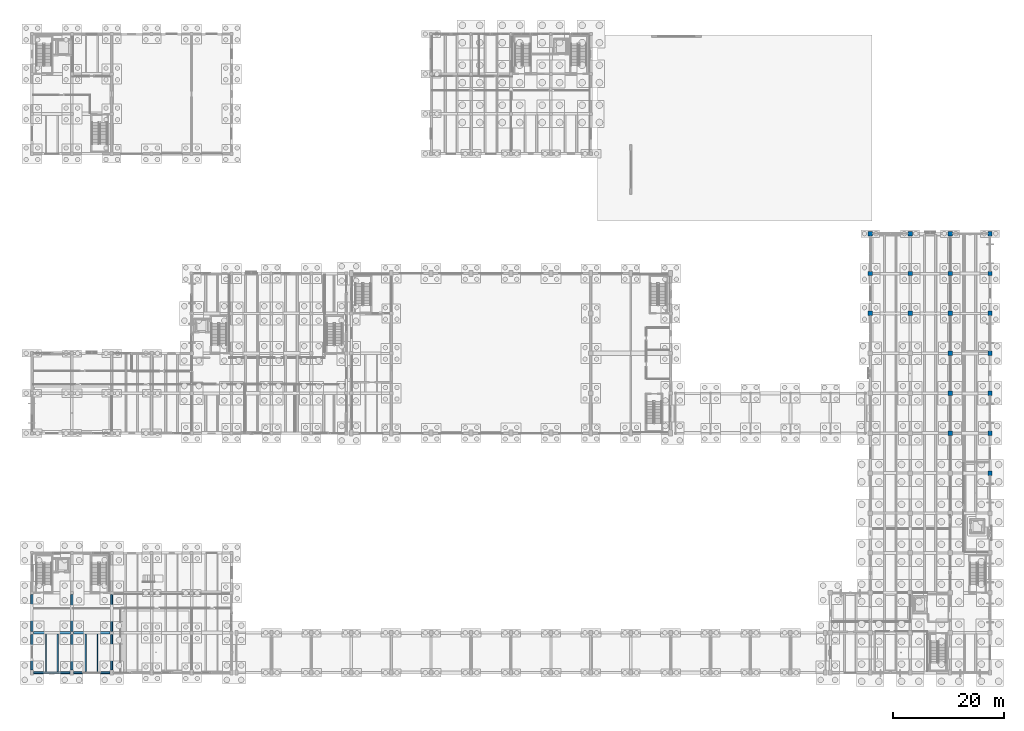
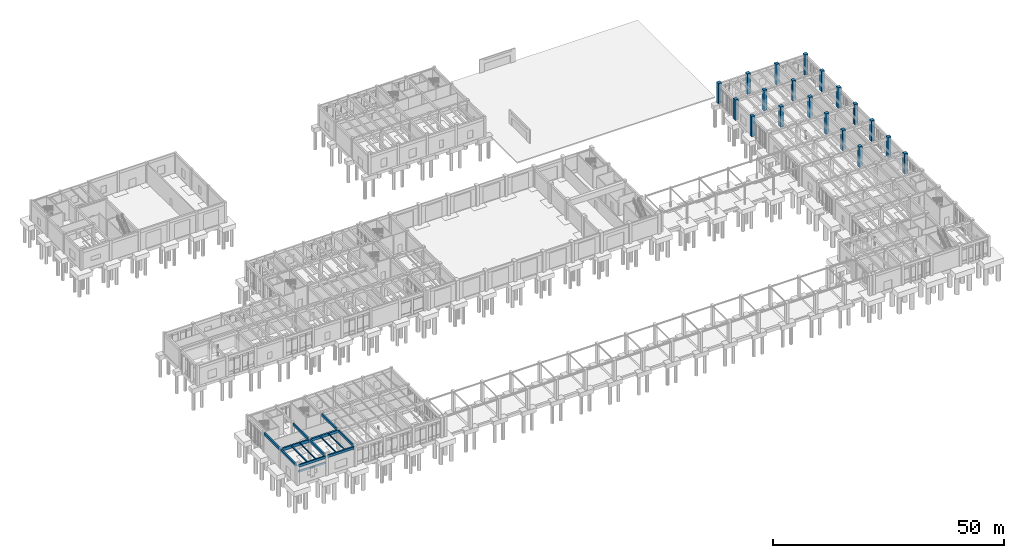
# One storey, part 16 of 93: 19 columns, 15 beams.
"""IFC4 building model written with IfcOpenShell, lengths in metres."""

from ifc_helpers import new_model, si_unit, direction, frame, origin, origin_2d, place, context, subcontext, project, spatial, rectangle, i_section, extrude, material, material_profile, profile_set, type_object, element, save


model = new_model("IFC4")

# Units and contexts
model_context = context("Model", 3, precision=1e-05, world=origin(), true_north=direction((0.0, 1.0)))
body_context = subcontext(model_context, "Body", "Model", "MODEL_VIEW")
ifc_project = project(units=[si_unit("LENGTHUNIT", "METRE"), si_unit("AREAUNIT", "SQUARE_METRE"), si_unit("VOLUMEUNIT", "CUBIC_METRE"), si_unit("PLANEANGLEUNIT", "RADIAN"), si_unit("MASSUNIT", "GRAM", prefix="KILO")], contexts=[model_context])

# Site, building, storey
site_placement = place(None, origin())
site = spatial("IfcSite", under=ifc_project, at=site_placement, CompositionType="ELEMENT")
building_placement = place(site_placement, origin())
building = spatial("IfcBuilding", under=site, at=building_placement, Name="Koriwan Promenade Central Fire Station", CompositionType="ELEMENT")
storey_placement = place(building_placement, origin())
storey = spatial("IfcBuildingStorey", under=building, at=storey_placement, Name="L00", CompositionType="ELEMENT", Elevation=0.0)

# Columns
ifc_material_1 = material(Name="Concrete C40/50", Category="concrete")
ifc_material_profile_1 = material_profile(ifc_material_1, rectangle(XDim=0.800048828125, YDim=0.800048828125, at=origin_2d()), Name="RC-COL-800x800")
ifc_profile_set_1 = profile_set([ifc_material_profile_1], Name="Concrete C40/50")
column_type = type_object("IfcColumnType", Name="Column_RC-COL-800x800", PredefinedType="COLUMN", material=ifc_profile_set_1)
for number, where, z_axis, x_axis, name in (
    (1, (151.199951171875, 64.800048828125, 0.0), (0.0, 0.0, 1.0), (1.0, 0.0, 0.0), "V5 L00 column (151.2, 64.8)"),
    (2, (151.199951171875, 72.0, 0.0), (0.0, 0.0, 1.0), (1.0, 0.0, 0.0), "V5 L00 column (151.2, 72.0)"),
    (3, (151.199951171875, 79.199951171875, 0.0), (0.0, 0.0, 1.0), (1.0, 0.0, 0.0), "V5 L00 column (151.2, 79.2)"),
    (4, (158.39990234375, 64.800048828125, 0.0), (0.0, 0.0, 1.0), (1.0, 0.0, 0.0), "V5 L00 column (158.4, 64.8)"),
    (5, (158.39990234375, 72.0, 0.0), (0.0, 0.0, 1.0), (1.0, 0.0, 0.0), "V5 L00 column (158.4, 72.0)"),
    (6, (158.39990234375, 79.199951171875, 0.0), (0.0, 0.0, 1.0), (1.0, 0.0, 0.0), "V5 L00 column (158.4, 79.2)"),
    (7, (165.60009765625, 43.199951171875, 0.0), (0.0, 0.0, 1.0), (1.0, 0.0, 0.0), "V5 L00 column (165.6, 43.2)"),
    (8, (165.60009765625, 50.39990234375, 0.0), (0.0, 0.0, 1.0), (1.0, 0.0, 0.0), "V5 L00 column (165.6, 50.4)"),
    (9, (165.60009765625, 57.60009765625, 0.0), (0.0, 0.0, 1.0), (1.0, 0.0, 0.0), "V5 L00 column (165.6, 57.6)"),
    (10, (165.60009765625, 64.800048828125, 0.0), (0.0, 0.0, 1.0), (1.0, 0.0, 0.0), "V5 L00 column (165.6, 64.8)"),
    (11, (165.60009765625, 72.0, 0.0), (0.0, 0.0, 1.0), (1.0, 0.0, 0.0), "V5 L00 column (165.6, 72.0)"),
    (12, (165.60009765625, 79.199951171875, 0.0), (0.0, 0.0, 1.0), (1.0, 0.0, 0.0), "V5 L00 column (165.6, 79.2)"),
    (13, (172.800048828125, 36.0, 0.0), (0.0, 0.0, 1.0), (1.0, 0.0, 0.0), "V5 L00 column (172.8, 36.0)"),
    (14, (172.800048828125, 43.199951171875, 0.0), (0.0, 0.0, 1.0), (1.0, 0.0, 0.0), "V5 L00 column (172.8, 43.2)"),
    (15, (172.800048828125, 50.39990234375, 0.0), (0.0, 0.0, 1.0), (1.0, 0.0, 0.0), "V5 L00 column (172.8, 50.4)"),
    (16, (172.800048828125, 57.60009765625, 0.0), (0.0, 0.0, 1.0), (1.0, 0.0, 0.0), "V5 L00 column (172.8, 57.6)"),
    (17, (172.800048828125, 64.800048828125, 0.0), (0.0, 0.0, 1.0), (1.0, 0.0, 0.0), "V5 L00 column (172.8, 64.8)"),
    (18, (172.800048828125, 72.0, 0.0), (0.0, 0.0, 1.0), (1.0, 0.0, 0.0), "V5 L00 column (172.8, 72.0)"),
    (19, (172.800048828125, 79.199951171875, 0.0), (0.0, 0.0, 1.0), (1.0, 0.0, 0.0), "V5 L00 column (172.8, 79.2)"),
):
    element("IfcColumn", number, at=place(storey_placement, frame(where, z_axis=z_axis, x_axis=x_axis)), inside=storey, type_object=column_type, Name=name, PredefinedType="COLUMN", context=body_context, shape_type="SweptSolid", body=[
        extrude(rectangle(XDim=0.800048828125, YDim=0.800048828125, at=origin_2d()), origin(), (0.0, 0.0, 1.0), 5.39990234375),
    ])

# Beams
ifc_material_2 = material(Name="Concrete C35/45", Category="concrete")
ifc_material_profile_2 = material_profile(ifc_material_2, rectangle(XDim=0.35009765625, YDim=0.60009765625, at=origin_2d()), Name="RC-BM-350x600")
ifc_profile_set_2 = profile_set([ifc_material_profile_2], Name="Concrete C35/45")
beam_type_1 = type_object("IfcBeamType", Name="Beam_RC-BM-350x600", PredefinedType="BEAM", material=ifc_profile_set_2)
beam_1_placement = place(storey_placement, frame((0.0, 0.449951171875, 4.85009765625), z_axis=(0.0, 1.0, 0.0), x_axis=(-1.0, 0.0, 0.0)))
element("IfcBeam", 20, at=beam_1_placement, inside=storey, type_object=beam_type_1, Name="V3 L00 girder Y-230", PredefinedType="BEAM", context=body_context, shape_type="SweptSolid", body=[
    extrude(rectangle(XDim=0.35009765625, YDim=0.60009765625, at=origin_2d()), origin(), (0.0, 0.0, 1.0), 6.47509765625),
])
beam_2_placement = place(storey_placement, frame((7.199951171875, 7.47509765625, 4.85009765625), z_axis=(0.0, 1.0, 0.0), x_axis=(-1.0, 0.0, 0.0)))
element("IfcBeam", 21, at=beam_2_placement, inside=storey, type_object=beam_type_1, Name="V3 L00 girder Y-234", PredefinedType="BEAM", context=body_context, shape_type="SweptSolid", body=[
    extrude(rectangle(XDim=0.35009765625, YDim=0.60009765625, at=origin_2d()), origin(), (0.0, 0.0, 1.0), 6.64990234375),
])
beam_3_placement = place(storey_placement, frame((14.39990234375, 0.449951171875, 4.85009765625), z_axis=(0.0, 1.0, 0.0), x_axis=(-1.0, 0.0, 0.0)))
element("IfcBeam", 22, at=beam_3_placement, inside=storey, type_object=beam_type_1, Name="V3 L00 girder Y-236", PredefinedType="BEAM", context=body_context, shape_type="SweptSolid", body=[
    extrude(rectangle(XDim=0.35009765625, YDim=0.60009765625, at=origin_2d()), origin(), (0.0, 0.0, 1.0), 6.47509765625),
])
ifc_material_profile_3 = material_profile(ifc_material_2, rectangle(XDim=0.35009765625, YDim=0.64990234375, at=origin_2d()), Name="RC-BM-350x650")
ifc_profile_set_3 = profile_set([ifc_material_profile_3], Name="Concrete C35/45")
beam_type_2 = type_object("IfcBeamType", Name="Beam_RC-BM-350x650", PredefinedType="BEAM", material=ifc_profile_set_3)
beam_4_placement = place(storey_placement, frame((0.0, 7.47509765625, 4.824951171875), z_axis=(0.0, 1.0, 0.0), x_axis=(-1.0, 0.0, 0.0)))
element("IfcBeam", 23, at=beam_4_placement, inside=storey, type_object=beam_type_2, Name="V3 L00 girder Y-231", PredefinedType="BEAM", context=body_context, shape_type="SweptSolid", body=[
    extrude(rectangle(XDim=0.35009765625, YDim=0.64990234375, at=origin_2d()), origin(), (0.0, 0.0, 1.0), 6.64990234375),
])
beam_5_placement = place(storey_placement, frame((7.199951171875, 0.449951171875, 4.824951171875), z_axis=(0.0, 1.0, 0.0), x_axis=(-1.0, 0.0, 0.0)))
element("IfcBeam", 24, at=beam_5_placement, inside=storey, type_object=beam_type_2, Name="V3 L00 girder Y-233", PredefinedType="BEAM", context=body_context, shape_type="SweptSolid", body=[
    extrude(rectangle(XDim=0.35009765625, YDim=0.64990234375, at=origin_2d()), origin(), (0.0, 0.0, 1.0), 6.47509765625),
])
beam_6_placement = place(storey_placement, frame((14.39990234375, 7.47509765625, 4.824951171875), z_axis=(0.0, 1.0, 0.0), x_axis=(-1.0, 0.0, 0.0)))
element("IfcBeam", 25, at=beam_6_placement, inside=storey, type_object=beam_type_2, Name="V3 L00 girder Y-237", PredefinedType="BEAM", context=body_context, shape_type="SweptSolid", body=[
    extrude(rectangle(XDim=0.35009765625, YDim=0.64990234375, at=origin_2d()), origin(), (0.0, 0.0, 1.0), 6.64990234375),
])
ifc_material_profile_4 = material_profile(ifc_material_2, rectangle(XDim=0.39990234375, YDim=0.699951171875, at=origin_2d()), Name="RC-BM-400x700")
ifc_profile_set_4 = profile_set([ifc_material_profile_4], Name="Concrete C35/45")
beam_type_3 = type_object("IfcBeamType", Name="Beam_RC-BM-400x700", PredefinedType="BEAM", material=ifc_profile_set_4)
beam_7_placement = place(storey_placement, frame((7.47509765625, 7.199951171875, 4.800048828125), z_axis=(1.0, 0.0, 0.0), x_axis=(0.0, 1.0, 0.0)))
element("IfcBeam", 26, at=beam_7_placement, inside=storey, type_object=beam_type_3, Name="V3 L00 girder X-218", PredefinedType="BEAM", context=body_context, shape_type="SweptSolid", body=[
    extrude(rectangle(XDim=0.39990234375, YDim=0.699951171875, at=origin_2d()), origin(), (0.0, 0.0, 1.0), 6.64990234375),
])
ifc_material_profile_5 = material_profile(ifc_material_2, rectangle(XDim=0.39990234375, YDim=0.75, at=origin_2d()), Name="RC-BM-400x750")
ifc_profile_set_5 = profile_set([ifc_material_profile_5], Name="Concrete C35/45")
beam_type_4 = type_object("IfcBeamType", Name="Beam_RC-BM-400x750", PredefinedType="BEAM", material=ifc_profile_set_5)
beam_8_placement = place(storey_placement, frame((0.27490234375, 7.199951171875, 4.77490234375), z_axis=(1.0, 0.0, 0.0), x_axis=(0.0, 1.0, 0.0)))
element("IfcBeam", 27, at=beam_8_placement, inside=storey, type_object=beam_type_4, Name="V3 L00 girder X-217", PredefinedType="BEAM", context=body_context, shape_type="SweptSolid", body=[
    extrude(rectangle(XDim=0.39990234375, YDim=0.75, at=origin_2d()), origin(), (0.0, 0.0, 1.0), 6.650146484375),
])
ifc_material_profile_6 = material_profile(ifc_material_2, rectangle(XDim=0.300048828125, YDim=0.449951171875, at=origin_2d()), Name="RC-LN-300x450")
ifc_profile_set_6 = profile_set([ifc_material_profile_6], Name="Concrete C35/45")
beam_type_5 = type_object("IfcBeamType", Name="Beam_RC-LN-300x450", PredefinedType="LINTEL", material=ifc_profile_set_6)
beam_9_placement = place(storey_placement, frame((0.300048828125, 0.0, 3.324951171875), z_axis=(1.0, 0.0, 0.0), x_axis=(0.0, 1.0, 0.0)))
element("IfcBeam", 28, at=beam_9_placement, inside=storey, type_object=beam_type_5, Name="Opening lintel LNT_V3_CAF1", PredefinedType="LINTEL", context=body_context, shape_type="SweptSolid", body=[
    extrude(rectangle(XDim=0.300048828125, YDim=0.449951171875, at=origin_2d()), origin(), (0.0, 0.0, 1.0), 6.599853515625),
])
ifc_material_profile_7 = material_profile(ifc_material_2, rectangle(XDim=0.35009765625, YDim=0.64990234375, at=origin_2d()), Name="RC-SP-350x650")
ifc_profile_set_7 = profile_set([ifc_material_profile_7], Name="Concrete C35/45")
beam_type_6 = type_object("IfcBeamType", Name="Beam_RC-SP-350x650", PredefinedType="SPANDREL", material=ifc_profile_set_7)
beam_10_placement = place(storey_placement, frame((0.300048828125, 0.0, 4.824951171875), z_axis=(1.0, 0.0, 0.0), x_axis=(0.0, 1.0, 0.0)))
element("IfcBeam", 29, at=beam_10_placement, inside=storey, type_object=beam_type_6, Name="V3 L00 girder X-212", PredefinedType="SPANDREL", context=body_context, shape_type="SweptSolid", body=[
    extrude(rectangle(XDim=0.35009765625, YDim=0.64990234375, at=origin_2d()), origin(), (0.0, 0.0, 1.0), 6.599853515625),
])
beam_11_placement = place(storey_placement, frame((7.5, 0.0, 4.824951171875), z_axis=(1.0, 0.0, 0.0), x_axis=(0.0, 1.0, 0.0)))
element("IfcBeam", 30, at=beam_11_placement, inside=storey, type_object=beam_type_6, Name="V3 L00 girder X-213", PredefinedType="SPANDREL", context=body_context, shape_type="SweptSolid", body=[
    extrude(rectangle(XDim=0.35009765625, YDim=0.64990234375, at=origin_2d()), origin(), (0.0, 0.0, 1.0), 6.60009765625),
])
ifc_material_3 = material(Name="Steel ASTM A992 Grade 50", Category="steel")
ifc_material_profile_8 = material_profile(ifc_material_3, i_section(OverallWidth=0.202880859375, OverallDepth=0.251953125, WebThickness=0.008056640625, FlangeThickness=0.013427734375, FilletRadius=0.012939453125, at=origin_2d()), Name="W250x58")
ifc_profile_set_8 = profile_set([ifc_material_profile_8], Name="Steel ASTM A992 Grade 50")
beam_type_7 = type_object("IfcBeamType", Name="SteelBeam_W250x58", PredefinedType="JOIST", material=ifc_profile_set_8)
for number, where, z_axis, x_axis, name in (
    (31, (4.656005859375, 0.175048828125, 5.02392578125), (0.0, 1.0, 0.0), (-1.0, 0.0, 0.0), "V3 L00 secondary joist 249"),
    (32, (11.85595703125, 0.175048828125, 5.02392578125), (0.0, 1.0, 0.0), (-1.0, 0.0, 0.0), "V3 L00 secondary joist 251"),
):
    element("IfcBeam", number, at=place(storey_placement, frame(where, z_axis=z_axis, x_axis=x_axis)), inside=storey, type_object=beam_type_7, Name=name, PredefinedType="JOIST", context=body_context, shape_type="SweptSolid", body=[
        extrude(i_section(OverallWidth=0.202880859375, OverallDepth=0.251953125, WebThickness=0.008056640625, FlangeThickness=0.013427734375, FilletRadius=0.012939453125, at=origin_2d()), origin(), (0.0, 0.0, 1.0), 6.824951171875),
    ])
ifc_material_profile_9 = material_profile(ifc_material_3, i_section(OverallWidth=0.25390625, OverallDepth=0.2529296875, WebThickness=0.008544921875, FlangeThickness=0.01416015625, FilletRadius=0.012939453125, at=origin_2d()), Name="W250x73")
ifc_profile_set_9 = profile_set([ifc_material_profile_9], Name="Steel ASTM A992 Grade 50")
beam_type_8 = type_object("IfcBeamType", Name="SteelBeam_W250x73", PredefinedType="JOIST", material=ifc_profile_set_9)
for number, where, z_axis, x_axis, name in (
    (33, (2.5439453125, 0.175048828125, 5.0234375), (0.0, 1.0, 0.0), (-1.0, 0.0, 0.0), "V3 L00 secondary joist 248"),
    (34, (9.743896484375, 0.175048828125, 5.0234375), (0.0, 1.0, 0.0), (-1.0, 0.0, 0.0), "V3 L00 secondary joist 250"),
):
    element("IfcBeam", number, at=place(storey_placement, frame(where, z_axis=z_axis, x_axis=x_axis)), inside=storey, type_object=beam_type_8, Name=name, PredefinedType="JOIST", context=body_context, shape_type="SweptSolid", body=[
        extrude(i_section(OverallWidth=0.25390625, OverallDepth=0.2529296875, WebThickness=0.008544921875, FlangeThickness=0.01416015625, FilletRadius=0.012939453125, at=origin_2d()), origin(), (0.0, 0.0, 1.0), 6.824951171875),
    ])

save(model, "model.ifc")
